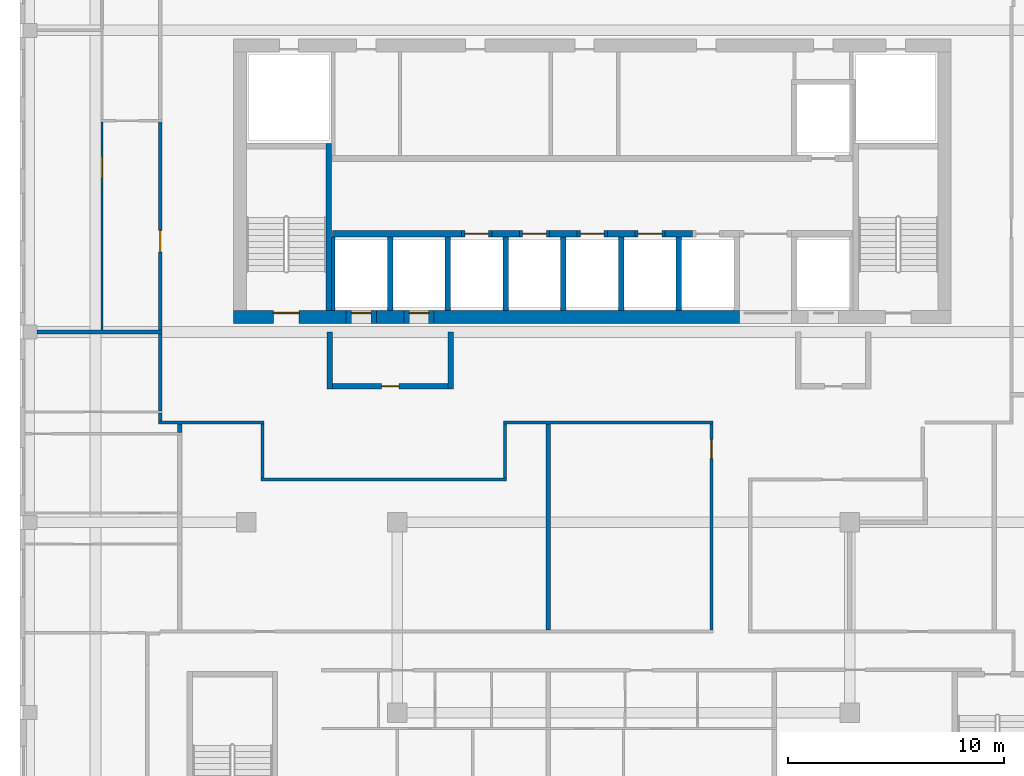
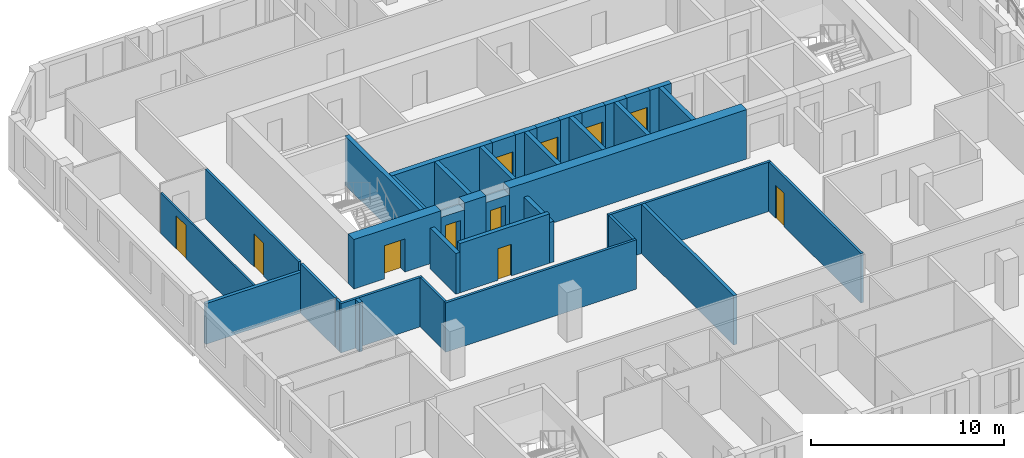
# One storey, part 4 of 18: 38 walls, 11 doors, 11 openings.
"""IFC4 building model written with IfcOpenShell, lengths in metres."""

import ifcopenshell
import ifcopenshell.guid

model = None  # the IFC model being written
_history = None  # IfcOwnerHistory: only IFC2X3 demands one
_inside = {}  # id of a spatial element -> (the spatial element, [elements in it])
_under = {}  # id of a project, library or spatial element -> (it, [spatial elements below it])
_declared = {}  # id of a project -> (the project, [libraries it declares])
_typed = {}  # id of a type object -> (the type object, [elements of that type])
_made_of = {}  # id of a material, layer set ... -> (it, [elements and type objects made of it])


def new_model(schema):
    """Start an empty IFC model of exactly this schema.

    Asked for "IFC4X3", IfcOpenShell would pick the latest addendum, in which some entities
    have other attributes; the version numbers below select the first issue.
    IFC2X3 requires an IfcOwnerHistory on every rooted entity: one is made here for all.
    """
    global model, _history
    if schema == "IFC4X3":
        model = ifcopenshell.file(schema_version=(4, 3, 0, 0))
    else:
        model = ifcopenshell.file(schema=schema)
    _inside.clear()
    _under.clear()
    _declared.clear()
    _typed.clear()
    _made_of.clear()
    _history = None
    if model.schema == "IFC2X3":
        org = make("IfcOrganization", Name="unknown")
        user = make(
            "IfcPersonAndOrganization",
            ThePerson=make("IfcPerson", FamilyName="unknown"),
            TheOrganization=org,
        )
        app = make(
            "IfcApplication",
            ApplicationDeveloper=org,
            Version="unknown",
            ApplicationFullName="unknown",
            ApplicationIdentifier="unknown",
        )
        _history = make(
            "IfcOwnerHistory",
            OwningUser=user,
            OwningApplication=app,
            ChangeAction="ADDED",
            CreationDate=0,
        )
    return model


def make(cls, **values):
    """One entity of the class cls with the attributes given. An attribute that is None is left unset."""
    return model.create_entity(
        cls, **{name: value for name, value in values.items() if value is not None}
    )


def rooted(cls, **values):
    """An entity with a GlobalId (a new one), such as an element, a storey or a relation."""
    return make(cls, GlobalId=ifcopenshell.guid.new(), OwnerHistory=_history, **values)


def si_unit(unit_type, name, prefix=None):
    """IfcSIUnit, for example si_unit("LENGTHUNIT", "METRE", prefix="MILLI")."""
    return make("IfcSIUnit", UnitType=unit_type, Prefix=prefix, Name=name)


def assignment(units):
    """IfcUnitAssignment: the units of a project."""
    return None if units is None else make("IfcUnitAssignment", Units=units)


def point(xyz):
    """IfcCartesianPoint."""
    return None if xyz is None else make("IfcCartesianPoint", Coordinates=xyz)


def direction(xyz):
    """IfcDirection."""
    return None if xyz is None else make("IfcDirection", DirectionRatios=xyz)


def frame(location, z_axis=None, x_axis=None):
    """IfcAxis2Placement3D, a coordinate frame: its origin and axes. An axis left out is left unset."""
    return make(
        "IfcAxis2Placement3D",
        Location=point(location),
        Axis=direction(z_axis),
        RefDirection=direction(x_axis),
    )


def frame_2d(location, x_axis=None):
    """IfcAxis2Placement2D, a coordinate frame in the plane: its origin and x axis."""
    return make(
        "IfcAxis2Placement2D", Location=point(location), RefDirection=direction(x_axis)
    )


def origin():
    """The frame at (0, 0, 0) with its axes left unset."""
    return frame((0.0, 0.0, 0.0))


def place(relative_to, where):
    """IfcLocalPlacement: puts the frame where relative to a parent placement (None: the world)."""
    return make(
        "IfcLocalPlacement", PlacementRelTo=relative_to, RelativePlacement=where
    )


def context(
    kind, dimensions, precision=None, world=None, true_north=None, identifier=None
):
    """IfcGeometricRepresentationContext, for example the 3D "Model" context."""
    return make(
        "IfcGeometricRepresentationContext",
        ContextIdentifier=identifier,
        ContextType=kind,
        CoordinateSpaceDimension=dimensions,
        Precision=precision,
        WorldCoordinateSystem=world,
        TrueNorth=true_north,
    )


def subcontext(parent, identifier, kind, view, scale=None):
    """IfcGeometricRepresentationSubContext, for example "Body" below "Model"."""
    return make(
        "IfcGeometricRepresentationSubContext",
        ContextIdentifier=identifier,
        ContextType=kind,
        ParentContext=parent,
        TargetScale=scale,
        TargetView=view,
    )


def project(units=None, contexts=None):
    """IfcProject with its units and contexts."""
    return rooted(
        "IfcProject",
        Name="project",
        RepresentationContexts=contexts,
        UnitsInContext=assignment(units),
    )


def spatial(cls, under=None, at=None, **own):
    """A site, building, storey or space (cls), placed at a placement, below another one or the project."""
    s = rooted(cls, ObjectPlacement=at, **own)
    if under is not None:
        _under.setdefault(under.id(), (under, []))[1].append(s)
    return s


def profile(cls, at=None, kind="AREA", **sizes):
    """A parametric profile (cls). Its sizes go by their IFC names, for example OverallWidth=200.0."""
    return make(cls, ProfileType=kind, Position=at, **sizes)


def rectangle(**sizes):
    """IfcRectangleProfileDef."""
    return profile("IfcRectangleProfileDef", **sizes)


def extrude(swept, where, along, depth):
    """IfcExtrudedAreaSolid: the profile swept, set in the frame where, extruded along a direction by depth."""
    return make(
        "IfcExtrudedAreaSolid",
        SweptArea=swept,
        Position=where,
        ExtrudedDirection=direction(along),
        Depth=depth,
    )


def shape(context_of_items, identifier, shape_type, items):
    """IfcShapeRepresentation: the items that make up one representation, for example the "Body"."""
    return make(
        "IfcShapeRepresentation",
        ContextOfItems=context_of_items,
        RepresentationIdentifier=identifier,
        RepresentationType=shape_type,
        Items=items,
    )


def source(mapping_origin, context_of_items, identifier, shape_type, items):
    """IfcRepresentationMap: a shape defined once, which mapped items show again and again."""
    return make(
        "IfcRepresentationMap",
        MappingOrigin=mapping_origin,
        MappedRepresentation=shape(context_of_items, identifier, shape_type, items),
    )


def transform(
    local_origin,
    x_axis=None,
    y_axis=None,
    z_axis=None,
    scale=None,
    scale2=None,
    scale3=None,
    uniform=True,
):
    """IfcCartesianTransformationOperator3D, or its non-uniform kind. x_axis, y_axis, z_axis: its Axis1, 2, 3."""
    if uniform:
        return make(
            "IfcCartesianTransformationOperator3D",
            Axis1=direction(x_axis),
            Axis2=direction(y_axis),
            LocalOrigin=point(local_origin),
            Scale=scale,
            Axis3=direction(z_axis),
        )
    return make(
        "IfcCartesianTransformationOperator3DnonUniform",
        Axis1=direction(x_axis),
        Axis2=direction(y_axis),
        LocalOrigin=point(local_origin),
        Scale=scale,
        Axis3=direction(z_axis),
        Scale2=scale2,
        Scale3=scale3,
    )


def mapped(mapping_source, mapping_target):
    """IfcMappedItem: shows the shape of a source again, moved by a transform."""
    return make(
        "IfcMappedItem", MappingSource=mapping_source, MappingTarget=mapping_target
    )


def material(Name=None, Category=None):
    """IfcMaterial."""
    return make("IfcMaterial", Name=Name, Category=Category)


def layer(
    of_material, thickness, ventilated=None, Name=None, Category=None, Priority=None
):
    """IfcMaterialLayer: one layer of a wall or slab, of a material (None: an air gap)."""
    return make(
        "IfcMaterialLayer",
        Material=of_material,
        LayerThickness=thickness,
        IsVentilated=ventilated,
        Name=Name,
        Category=Category,
        Priority=Priority,
    )


def layer_set(layers, Name=None):
    """IfcMaterialLayerSet."""
    return make("IfcMaterialLayerSet", MaterialLayers=layers, LayerSetName=Name)


def made_of(thing, what):
    """Note that an element or type object is made of a material, layer set ...; save() writes the relation."""
    if what is not None:
        _made_of.setdefault(what.id(), (what, []))[1].append(thing)
    return thing


def type_object(cls, material=None, **own):
    """A type object (cls), such as IfcWallType, which elements share."""
    return made_of(rooted(cls, **own), material)


def element(
    cls,
    number,
    at=None,
    inside=None,
    cuts=None,
    type_object=None,
    material=None,
    context=None,
    identifier="Body",
    shape_type=None,
    held_by="IfcProductDefinitionShape",
    body=None,
    shapes=None,
    **own,
):
    """One element of the class cls, such as IfcWall. Its Tag is "e" and its number.

    at: its placement. inside: the storey or other place that contains it. cuts: it is an
    opening in that element (IfcRelVoidsElement). A single representation is given by context,
    identifier, shape_type and body (its items); several are given by shapes. held_by: the class
    of the entity that holds the representations. save() writes the other relations.
    """
    e = rooted(cls, Tag="e%d" % number, ObjectPlacement=at, **own)
    if body is not None:
        shapes = [shape(context, identifier, shape_type, body)]
    if shapes is not None:
        e.Representation = make(held_by, Representations=shapes)
    if inside is not None:
        _inside.setdefault(inside.id(), (inside, []))[1].append(e)
    if cuts is not None:
        rooted(
            "IfcRelVoidsElement", RelatingBuildingElement=cuts, RelatedOpeningElement=e
        )
    if type_object is not None:
        _typed.setdefault(type_object.id(), (type_object, []))[1].append(e)
    return made_of(e, material)


def fill(opening, filler):
    """IfcRelFillsElement: the door or window that sits in an opening."""
    return rooted(
        "IfcRelFillsElement",
        RelatingOpeningElement=opening,
        RelatedBuildingElement=filler,
    )


def aggregate(whole, parts):
    """IfcRelAggregates: a whole, such as a stair, and the parts it consists of."""
    return rooted("IfcRelAggregates", RelatingObject=whole, RelatedObjects=parts)


def save(model, path):
    """Write the relations noted so far, then the file.

    IfcRelAggregates (storeys below a building ...), IfcRelContainedInSpatialStructure (elements
    in a storey), IfcRelDefinesByType, IfcRelAssociatesMaterial and IfcRelDeclares: one each for
    every whole, place, type object, material and project.
    """
    for whole, parts in _under.values():
        aggregate(whole, parts)
    for where, things in _inside.values():
        rooted(
            "IfcRelContainedInSpatialStructure",
            RelatedElements=things,
            RelatingStructure=where,
        )
    for kind, things in _typed.values():
        rooted("IfcRelDefinesByType", RelatedObjects=things, RelatingType=kind)
    for what, things in _made_of.values():
        rooted("IfcRelAssociatesMaterial", RelatedObjects=things, RelatingMaterial=what)
    for by, libraries in _declared.values():
        rooted("IfcRelDeclares", RelatingContext=by, RelatedDefinitions=libraries)
    model.write(path)


model = new_model("IFC4")

# Units and contexts
model_context = context("Model", 3, precision=1e-05, world=origin(), true_north=direction((0.0, 1.0)))
body_context = subcontext(model_context, "Body", "Model", "MODEL_VIEW")
ifc_project = project(units=[si_unit("LENGTHUNIT", "METRE"), si_unit("AREAUNIT", "SQUARE_METRE"), si_unit("VOLUMEUNIT", "CUBIC_METRE"), si_unit("PLANEANGLEUNIT", "RADIAN"), si_unit("MASSUNIT", "GRAM", prefix="KILO")], contexts=[model_context])

# Site, building, storey
site_placement = place(None, origin())
site = spatial("IfcSite", under=ifc_project, at=site_placement, CompositionType="ELEMENT")
building_placement = place(site_placement, origin())
building = spatial("IfcBuilding", under=site, at=building_placement, Name="Kilnfold Tower and Market Hall", CompositionType="ELEMENT")
storey_placement = place(building_placement, frame((0.0, 0.0, 277.199951171875)))
storey = spatial("IfcBuildingStorey", under=building, at=storey_placement, Name="L68", CompositionType="ELEMENT", Elevation=277.199951171875)

# Walls
ifc_material_1 = material(Name="Gypsum board on steel studs", Category="steel")
ifc_layer_1 = layer(ifc_material_1, 0.14990234375)
ifc_layer_set_1 = layer_set([ifc_layer_1], Name="Gypsum board on steel studs")
wall_type_1 = type_object("IfcWallType", Name="WALL CORRIDOR 150", PredefinedType="PARTITIONING", material=ifc_layer_set_1)
wall_1_placement = place(storey_placement, frame((-19.074951171875, 3.800048828125, 0.0), z_axis=(0.0, 0.0, 1.0), x_axis=(1.0, 0.0, 0.0)))
element("IfcWall", 1, at=wall_1_placement, inside=storey, type_object=wall_type_1, Name="Partition LY42.11", PredefinedType="PARTITIONING", context=body_context, shape_type="SweptSolid", body=[
    extrude(rectangle(XDim=4.889892578125, YDim=0.14990234375, at=frame_2d((2.44482421875, 0.0))), origin(), (0.0, 0.0, 1.0), 3.1201171875),
])
wall_2_placement = place(storey_placement, frame((-19.0, 3.875, 0.0), z_axis=(0.0, 0.0, 1.0), x_axis=(0.0, 1.0, 0.0)))
element("IfcWall", 2, at=wall_2_placement, inside=storey, type_object=wall_type_1, Name="Partition LY42.12", PredefinedType="PARTITIONING", context=body_context, shape_type="SweptSolid", body=[
    extrude(rectangle(XDim=0.376953125, YDim=0.14990234375, at=frame_2d((0.1884765625, 0.0))), origin(), (0.0, 0.0, 1.0), 3.1201171875),
])
wall_3_placement = place(storey_placement, frame((-19.0, 4.33203125, 0.0), z_axis=(0.0, 0.0, 1.0), x_axis=(0.0, 1.0, 0.0)))
element("IfcWall", 3, at=wall_3_placement, inside=storey, type_object=wall_type_1, Name="Partition LY42.13", PredefinedType="PARTITIONING", context=body_context, shape_type="SweptSolid", body=[
    extrude(rectangle(XDim=3.577880859375, YDim=0.14990234375, at=frame_2d((1.7890625, 0.0))), origin(), (0.0, 0.0, 1.0), 3.1201171875),
])

# Wall, opening, door
wall_4_placement = place(storey_placement, frame((-19.0, 8.090087890625, 0.0), z_axis=(0.0, 0.0, 1.0), x_axis=(0.0, 1.0, 0.0)))
wall_4 = element("IfcWall", 4, at=wall_4_placement, inside=storey, type_object=wall_type_1, Name="Partition LY42.20", PredefinedType="PARTITIONING", context=body_context, shape_type="SweptSolid", body=[
    extrude(rectangle(XDim=9.669921875, YDim=0.14990234375, at=frame_2d((4.8349609375, 0.0))), origin(), (0.0, 0.0, 1.0), 3.1201171875),
])
opening_1_placement = place(wall_4_placement, frame((3.62890625, 0.0, 0.0)))
opening_1 = element("IfcOpeningElement", 5, at=opening_1_placement, cuts=wall_4, Name="Opening D1", PredefinedType="OPENING", context=body_context, shape_type="SweptSolid", body=[
    extrude(rectangle(XDim=1.0, YDim=2.10009765625, at=frame_2d((0.5, 1.050048828125))), frame((0.0, 0.0849609375, 0.0), z_axis=(0.0, -1.0, 0.0), x_axis=(1.0, 0.0, 0.0)), (0.0, 0.0, 1.0), 0.169921875),
])
ifc_material_2 = material(Name="Timber veneer door leaf in steel frame", Category="steel")
door_type_1 = type_object("IfcDoorType", Name="DOOR ENTRY 1000 X2100", OperationType="NOTDEFINED", PredefinedType="DOOR", material=ifc_material_2)
door_1_placement = place(opening_1_placement, origin())
door_1 = element("IfcDoor", 6, at=door_1_placement, inside=storey, type_object=door_type_1, Name="Door D1", OperationType="SINGLE_SWING_LEFT", OverallHeight=2.10009765625, OverallWidth=1.0, PredefinedType="DOOR", context=body_context, shape_type="SweptSolid", body=[
    extrude(rectangle(XDim=1.0, YDim=2.10009765625, at=frame_2d((0.5, 1.050048828125))), frame((0.0, 0.02490234375, 0.0), z_axis=(0.0, -1.0, 0.0), x_axis=(1.0, 0.0, 0.0)), (0.0, 0.0, 1.0), 0.050048828125),
])
fill(opening_1, door_1)

# Walls
wall_5_placement = place(storey_placement, frame((-3.074951171875, 3.800048828125, 0.0), z_axis=(0.0, 0.0, 1.0), x_axis=(1.0, 0.0, 0.0)))
element("IfcWall", 7, at=wall_5_placement, inside=storey, type_object=wall_type_1, Name="Partition LY42.23", PredefinedType="PARTITIONING", context=body_context, shape_type="SweptSolid", body=[
    extrude(rectangle(XDim=9.72998046875, YDim=0.14990234375, at=frame_2d((4.864990234375, 0.0))), origin(), (0.0, 0.0, 1.0), 3.1201171875),
])
wall_6_placement = place(storey_placement, frame((-3.0, 1.22509765625, 0.0), z_axis=(0.0, 0.0, 1.0), x_axis=(0.0, 1.0, 0.0)))
element("IfcWall", 8, at=wall_6_placement, inside=storey, type_object=wall_type_1, Name="Partition LY42.24", PredefinedType="PARTITIONING", context=body_context, shape_type="SweptSolid", body=[
    extrude(rectangle(XDim=2.5, YDim=0.14990234375, at=frame_2d((1.25, 0.0))), origin(), (0.0, 0.0, 1.0), 3.1201171875),
])
wall_7_placement = place(storey_placement, frame((-14.3349609375, 1.14990234375, 0.0), z_axis=(0.0, 0.0, 1.0), x_axis=(1.0, 0.0, 0.0)))
element("IfcWall", 9, at=wall_7_placement, inside=storey, type_object=wall_type_1, Name="Partition LY42.25", PredefinedType="PARTITIONING", context=body_context, shape_type="SweptSolid", body=[
    extrude(rectangle(XDim=11.409912109375, YDim=0.14990234375, at=frame_2d((5.705078125, 0.0))), origin(), (0.0, 0.0, 1.0), 3.1201171875),
])
wall_8_placement = place(storey_placement, frame((-14.260009765625, 3.72509765625, 0.0), z_axis=(0.0, 0.0, 1.0), x_axis=(0.0, -1.0, 0.0)))
element("IfcWall", 10, at=wall_8_placement, inside=storey, type_object=wall_type_1, Name="Partition LY42.26", PredefinedType="PARTITIONING", context=body_context, shape_type="SweptSolid", body=[
    extrude(rectangle(XDim=2.5, YDim=0.14990234375, at=frame_2d((1.25, 0.0))), origin(), (0.0, 0.0, 1.0), 3.1201171875),
])

# Wall, opening, door
wall_9_placement = place(storey_placement, frame((6.580078125, 3.72509765625, 0.0), z_axis=(0.0, 0.0, 1.0), x_axis=(0.0, -1.0, 0.0)))
wall_9 = element("IfcWall", 11, at=wall_9_placement, inside=storey, type_object=wall_type_1, Name="Partition LY42.27", PredefinedType="PARTITIONING", context=body_context, shape_type="SweptSolid", body=[
    extrude(rectangle(XDim=9.550048828125, YDim=0.14990234375, at=frame_2d((4.77490234375, 0.0))), origin(), (0.0, 0.0, 1.0), 3.1201171875),
])
opening_2_placement = place(wall_9_placement, frame((0.702880859375, 0.0, 0.0)))
opening_2 = element("IfcOpeningElement", 12, at=opening_2_placement, cuts=wall_9, Name="Opening D2", PredefinedType="OPENING", context=body_context, shape_type="SweptSolid", body=[
    extrude(rectangle(XDim=0.89990234375, YDim=2.10009765625, at=frame_2d((0.449951171875, 1.050048828125))), frame((0.0, 0.0849609375, 0.0), z_axis=(0.0, -1.0, 0.0), x_axis=(1.0, 0.0, 0.0)), (0.0, 0.0, 1.0), 0.169921875),
])
ifc_material_3 = material(Name="Timber veneer door leaf in steel frame", Category="steel")
door_type_2 = type_object("IfcDoorType", Name="DOOR ROOM 900 X2100", OperationType="NOTDEFINED", PredefinedType="DOOR", material=ifc_material_3)
door_2_placement = place(opening_2_placement, origin())
door_2 = element("IfcDoor", 13, at=door_2_placement, inside=storey, type_object=door_type_2, Name="Door D2", OperationType="SINGLE_SWING_RIGHT", OverallHeight=2.10009765625, OverallWidth=0.89990234375, PredefinedType="DOOR", context=body_context, shape_type="SweptSolid", body=[
    extrude(rectangle(XDim=0.89990234375, YDim=2.10009765625, at=frame_2d((0.449951171875, 1.050048828125))), frame((0.0, 0.02490234375, 0.0), z_axis=(0.0, -1.0, 0.0), x_axis=(1.0, 0.0, 0.0)), (0.0, 0.0, 1.0), 0.050048828125),
])
fill(opening_2, door_2)

ifc_material_4 = material(Name="Gypsum board on steel studs", Category="steel")
ifc_layer_2 = layer(ifc_material_4, 0.10009765625)
ifc_layer_set_2 = layer_set([ifc_layer_2], Name="Gypsum board on steel studs")
wall_type_2 = type_object("IfcWallType", Name="WALL PARTITION 100", PredefinedType="PARTITIONING", material=ifc_layer_set_2)
wall_10_placement = place(storey_placement, frame((-21.699951171875, 8.10009765625, 0.0), z_axis=(0.0, 0.0, 1.0), x_axis=(0.0, 1.0, 0.0)))
wall_10 = element("IfcWall", 14, at=wall_10_placement, inside=storey, type_object=wall_type_2, Name="Partition LY42.72", PredefinedType="PARTITIONING", context=body_context, shape_type="SweptSolid", body=[
    extrude(rectangle(XDim=9.64990234375, YDim=0.10009765625, at=frame_2d((4.824951171875, 0.0))), origin(), (0.0, 0.0, 1.0), 2.570068359375),
])
opening_3_placement = place(wall_10_placement, frame((7.041015625, 0.0, 0.0)))
opening_3 = element("IfcOpeningElement", 15, at=opening_3_placement, cuts=wall_10, Name="Opening D1", PredefinedType="OPENING", context=body_context, shape_type="SweptSolid", body=[
    extrude(rectangle(XDim=1.0, YDim=2.10009765625, at=frame_2d((0.5, 1.050048828125))), frame((0.0, 0.06005859375, 0.0), z_axis=(0.0, -1.0, 0.0), x_axis=(1.0, 0.0, 0.0)), (0.0, 0.0, 1.0), 0.1201171875),
])
door_3_placement = place(opening_3_placement, origin())
door_3 = element("IfcDoor", 16, at=door_3_placement, inside=storey, type_object=door_type_1, Name="Door D1", OperationType="SINGLE_SWING_LEFT", OverallHeight=2.10009765625, OverallWidth=1.0, PredefinedType="DOOR", context=body_context, shape_type="SweptSolid", body=[
    extrude(rectangle(XDim=1.0, YDim=2.10009765625, at=frame_2d((0.5, 1.050048828125))), frame((0.0, 0.02490234375, 0.0), z_axis=(0.0, -1.0, 0.0), x_axis=(1.0, 0.0, 0.0)), (0.0, 0.0, 1.0), 0.050048828125),
])
fill(opening_3, door_3)

# Walls
ifc_material_5 = material(Name="Gypsum board on steel studs", Category="steel")
ifc_layer_3 = layer(ifc_material_5, 0.199951171875)
ifc_layer_set_3 = layer_set([ifc_layer_3], Name="Gypsum board on steel studs")
wall_type_3 = type_object("IfcWallType", Name="WALL PARTY 200", PredefinedType="PARTITIONING", material=ifc_layer_set_3)
wall_11_placement = place(storey_placement, frame((-18.10009765625, 3.324951171875, 0.0), z_axis=(0.0, 0.0, 1.0), x_axis=(0.0, 1.0, 0.0)))
element("IfcWall", 17, at=wall_11_placement, inside=storey, type_object=wall_type_3, Name="Partition LY42.44", PredefinedType="PARTITIONING", context=body_context, shape_type="SweptSolid", body=[
    extrude(rectangle(XDim=0.39794921875, YDim=0.199951171875, at=frame_2d((0.198974609375, 0.0))), origin(), (0.0, 0.0, 1.0), 3.1201171875),
])
wall_12_placement = place(storey_placement, frame((-24.72509765625, 8.0, 0.0), z_axis=(0.0, 0.0, 1.0), x_axis=(1.0, 0.0, 0.0)))
element("IfcWall", 18, at=wall_12_placement, inside=storey, type_object=wall_type_3, Name="Partition LY42.45", PredefinedType="PARTITIONING", context=body_context, shape_type="SweptSolid", body=[
    extrude(rectangle(XDim=5.798095703125, YDim=0.199951171875, at=frame_2d((2.89892578125, 0.0))), origin(), (0.0, 0.0, 1.0), 2.570068359375),
])
wall_13_placement = place(storey_placement, frame((-1.0, -5.822998046875, 0.0), z_axis=(0.0, 0.0, 1.0), x_axis=(0.0, 1.0, 0.0)))
element("IfcWall", 19, at=wall_13_placement, inside=storey, type_object=wall_type_3, Name="Partition LY42.79", PredefinedType="PARTITIONING", context=body_context, shape_type="SweptSolid", body=[
    extrude(rectangle(XDim=9.5458984375, YDim=0.199951171875, at=frame_2d((4.77294921875, 0.0))), origin(), (0.0, 0.0, 1.0), 3.1201171875),
])
ifc_material_6 = material(Name="Concrete C50", Category="concrete")
ifc_layer_4 = layer(ifc_material_6, 0.25)
ifc_layer_set_4 = layer_set([ifc_layer_4], Name="Concrete C50")
wall_type_4 = type_object("IfcWallType", Name="CORE WALL 250 C50", PredefinedType="SHEAR", material=ifc_layer_set_4)
shared_shape_1 = source(origin(), body_context, "Body", "SweptSolid", [
    extrude(rectangle(XDim=7.75, YDim=0.25, at=frame_2d((3.875, 0.0))), origin(), (0.0, 0.0, 1.0), 3.1201171875),
])
wall_14_placement = place(storey_placement, frame((-11.175048828125, 9.0, 0.0), z_axis=(0.0, 0.0, 1.0), x_axis=(0.0, 1.0, 0.0)))
element("IfcWall", 20, at=wall_14_placement, inside=storey, type_object=wall_type_4, Name="Stair enclosure ST1", PredefinedType="SHEAR", context=body_context, shape_type="MappedRepresentation", body=[
    mapped(shared_shape_1, transform((0.0, 0.0, 0.0))),
])
ifc_material_7 = material(Name="Concrete C50", Category="concrete")
ifc_layer_5 = layer(ifc_material_7, 0.300048828125)
ifc_layer_set_5 = layer_set([ifc_layer_5], Name="Concrete C50")
wall_type_5 = type_object("IfcWallType", Name="CORE WALL 300 C50", PredefinedType="SHEAR", material=ifc_layer_set_5)
shared_shape_2 = source(origin(), body_context, "Body", "SweptSolid", [
    extrude(rectangle(XDim=6.0, YDim=0.300048828125, at=frame_2d((3.0, 0.0))), origin(), (0.0, 0.0, 1.0), 3.1201171875),
])
wall_15_placement = place(storey_placement, frame((-11.010009765625, 12.550048828125, 0.0), z_axis=(0.0, 0.0, 1.0), x_axis=(1.0, 0.0, 0.0)))
element("IfcWall", 21, at=wall_15_placement, inside=storey, type_object=wall_type_5, Name="Core spine wall", PredefinedType="SHEAR", context=body_context, shape_type="MappedRepresentation", body=[
    mapped(shared_shape_2, transform((0.0, 0.0, 0.0))),
])
shared_shape_3 = source(origin(), body_context, "Body", "SweptSolid", [
    extrude(rectangle(XDim=1.280029296875, YDim=0.300048828125, at=frame_2d((0.64013671875, 0.0))), origin(), (0.0, 0.0, 1.0), 3.1201171875),
])
for number, where, z_axis, x_axis, name in (
    (22, (-3.610107421875, 12.550048828125, 0.0), (0.0, 0.0, 1.0), (1.0, 0.0, 0.0), "Core spine wall"),
    (23, (-0.929931640625, 12.550048828125, 0.0), (0.0, 0.0, 1.0), (1.0, 0.0, 0.0), "Core spine wall"),
    (24, (1.75, 12.550048828125, 0.0), (0.0, 0.0, 1.0), (1.0, 0.0, 0.0), "Core spine wall"),
    (25, (4.429931640625, 12.550048828125, 0.0), (0.0, 0.0, 1.0), (1.0, 0.0, 0.0), "Core spine wall"),
):
    element("IfcWall", number, at=place(storey_placement, frame(where, z_axis=z_axis, x_axis=x_axis)), inside=storey, type_object=wall_type_5, Name=name, PredefinedType="SHEAR", context=body_context, shape_type="MappedRepresentation", body=[
        mapped(shared_shape_3, transform((0.0, 0.0, 0.0))),
    ])

# Wall, opening, door
ifc_material_8 = material(Name="Concrete C50", Category="concrete")
ifc_layer_6 = layer(ifc_material_8, 0.60009765625)
ifc_layer_set_6 = layer_set([ifc_layer_6], Name="Concrete C50")
wall_type_6 = type_object("IfcWallType", Name="CORE WALL 600 C50", PredefinedType="SHEAR", material=ifc_layer_set_6)
shared_shape_4 = source(origin(), body_context, "Body", "SweptSolid", [
    extrude(rectangle(XDim=5.22998046875, YDim=0.60009765625, at=frame_2d((2.614990234375, 0.0))), origin(), (0.0, 0.0, 1.0), 3.1201171875),
])
wall_16_placement = place(storey_placement, frame((-15.60009765625, 8.699951171875, 0.0), z_axis=(0.0, 0.0, 1.0), x_axis=(1.0, 0.0, 0.0)))
wall_16 = element("IfcWall", 26, at=wall_16_placement, inside=storey, type_object=wall_type_6, Name="Core outer wall south", PredefinedType="SHEAR", context=body_context, shape_type="MappedRepresentation", body=[
    mapped(shared_shape_4, transform((0.0, 0.0, 0.0))),
])
opening_4_placement = place(wall_16_placement, frame((1.85009765625, 0.0, 0.0)))
opening_4 = element("IfcOpeningElement", 27, at=opening_4_placement, cuts=wall_16, Name="Opening SD1", PredefinedType="OPENING", context=body_context, shape_type="SweptSolid", body=[
    extrude(rectangle(XDim=1.199951171875, YDim=2.10009765625, at=frame_2d((0.60009765625, 1.050048828125))), frame((0.0, 0.31005859375, 0.0), z_axis=(0.0, -1.0, 0.0), x_axis=(1.0, 0.0, 0.0)), (0.0, 0.0, 1.0), 0.6201171875),
])
ifc_material_9 = material(Name="Steel door set with fire-resisting leaf", Category="steel")
door_type_3 = type_object("IfcDoorType", Name="STAIR FLOOR DOOR 1200X2100", OperationType="NOTDEFINED", PredefinedType="DOOR", material=ifc_material_9)
door_4_placement = place(opening_4_placement, origin())
door_4 = element("IfcDoor", 28, at=door_4_placement, inside=storey, type_object=door_type_3, Name="Exit stair ST1 door", OperationType="DOUBLE_DOOR_SINGLE_SWING", OverallHeight=2.10009765625, OverallWidth=1.199951171875, PredefinedType="DOOR", context=body_context, shape_type="SweptSolid", body=[
    extrude(rectangle(XDim=1.199951171875, YDim=2.10009765625, at=frame_2d((0.60009765625, 1.050048828125))), frame((0.0, 0.205078125, 0.0), z_axis=(0.0, -1.0, 0.0), x_axis=(1.0, 0.0, 0.0)), (0.0, 0.0, 1.0), 0.050048828125),
])
fill(opening_4, door_4)

# Walls
shared_shape_5 = source(origin(), body_context, "Body", "SweptSolid", [
    extrude(rectangle(XDim=1.280029296875, YDim=0.60009765625, at=frame_2d((0.64013671875, 0.0))), origin(), (0.0, 0.0, 1.0), 3.1201171875),
])
wall_17_placement = place(storey_placement, frame((-8.969970703125, 8.699951171875, 0.0), z_axis=(0.0, 0.0, 1.0), x_axis=(1.0, 0.0, 0.0)))
element("IfcWall", 29, at=wall_17_placement, inside=storey, type_object=wall_type_6, Name="Core outer wall south", PredefinedType="SHEAR", context=body_context, shape_type="MappedRepresentation", body=[
    mapped(shared_shape_5, transform((0.0, 0.0, 0.0))),
])
shared_shape_6 = source(origin(), body_context, "Body", "SweptSolid", [
    extrude(rectangle(XDim=14.179931640625, YDim=0.60009765625, at=frame_2d((7.08984375, 0.0))), origin(), (0.0, 0.0, 1.0), 3.1201171875),
])
wall_18_placement = place(storey_placement, frame((-6.2900390625, 8.699951171875, 0.0), z_axis=(0.0, 0.0, 1.0), x_axis=(1.0, 0.0, 0.0)))
element("IfcWall", 30, at=wall_18_placement, inside=storey, type_object=wall_type_6, Name="Core outer wall south", PredefinedType="SHEAR", context=body_context, shape_type="MappedRepresentation", body=[
    mapped(shared_shape_6, transform((0.0, 0.0, 0.0))),
])

# Wall, opening, door
ifc_material_10 = material(Name="Gypsum shaft wall system")
ifc_layer_7 = layer(ifc_material_10, 0.300048828125)
ifc_layer_set_7 = layer_set([ifc_layer_7], Name="Gypsum shaft wall system")
wall_type_7 = type_object("IfcWallType", Name="SHAFT WALL 300", PredefinedType="PARTITIONING", material=ifc_layer_set_7)
shared_shape_7 = source(origin(), body_context, "Body", "SweptSolid", [
    extrude(rectangle(XDim=1.39990234375, YDim=0.300048828125, at=frame_2d((0.699951171875, 0.0))), origin(), (0.0, 0.0, 1.0), 3.1201171875),
])
wall_19_placement = place(storey_placement, frame((-5.010009765625, 12.550048828125, 0.0), z_axis=(0.0, 0.0, 1.0), x_axis=(1.0, 0.0, 0.0)))
wall_19 = element("IfcWall", 31, at=wall_19_placement, inside=storey, type_object=wall_type_7, Name="Lift shaft front wall", PredefinedType="PARTITIONING", context=body_context, shape_type="MappedRepresentation", body=[
    mapped(shared_shape_7, transform((0.0, 0.0, 0.0))),
])
opening_5_placement = place(wall_19_placement, frame((0.14990234375, 0.0, 0.0)))
opening_5 = element("IfcOpeningElement", 32, at=opening_5_placement, cuts=wall_19, Name="Opening LD2", PredefinedType="OPENING", context=body_context, shape_type="SweptSolid", body=[
    extrude(rectangle(XDim=1.10009765625, YDim=2.10009765625, at=frame_2d((0.550048828125, 1.050048828125))), frame((0.0, 0.16015625, 0.0), z_axis=(0.0, -1.0, 0.0), x_axis=(1.0, 0.0, 0.0)), (0.0, 0.0, 1.0), 0.320068359375),
])
ifc_material_11 = material(Name="Steel door set with fire-resisting leaf", Category="steel")
door_type_4 = type_object("IfcDoorType", Name="LANDING DOOR 1100X2100", OperationType="NOTDEFINED", PredefinedType="DOOR", material=ifc_material_11)
door_5_placement = place(opening_5_placement, origin())
door_5 = element("IfcDoor", 33, at=door_5_placement, inside=storey, type_object=door_type_4, Name="Landing door HR1", OperationType="DOUBLE_DOOR_SLIDING", OverallHeight=2.10009765625, OverallWidth=1.10009765625, PredefinedType="DOOR", context=body_context, shape_type="SweptSolid", body=[
    extrude(rectangle(XDim=1.10009765625, YDim=2.10009765625, at=frame_2d((0.550048828125, 1.050048828125))), frame((0.0, 0.02490234375, 0.0), z_axis=(0.0, -1.0, 0.0), x_axis=(1.0, 0.0, 0.0)), (0.0, 0.0, 1.0), 0.050048828125),
])
fill(opening_5, door_5)

wall_20_placement = place(storey_placement, frame((0.35009765625, 12.550048828125, 0.0), z_axis=(0.0, 0.0, 1.0), x_axis=(1.0, 0.0, 0.0)))
wall_20 = element("IfcWall", 34, at=wall_20_placement, inside=storey, type_object=wall_type_7, Name="Lift shaft front wall", PredefinedType="PARTITIONING", context=body_context, shape_type="MappedRepresentation", body=[
    mapped(shared_shape_7, transform((0.0, 0.0, 0.0))),
])
opening_6_placement = place(wall_20_placement, frame((0.14990234375, 0.0, 0.0)))
opening_6 = element("IfcOpeningElement", 35, at=opening_6_placement, cuts=wall_20, Name="Opening LD2", PredefinedType="OPENING", context=body_context, shape_type="SweptSolid", body=[
    extrude(rectangle(XDim=1.10009765625, YDim=2.10009765625, at=frame_2d((0.550048828125, 1.050048828125))), frame((0.0, 0.16015625, 0.0), z_axis=(0.0, -1.0, 0.0), x_axis=(1.0, 0.0, 0.0)), (0.0, 0.0, 1.0), 0.320068359375),
])
door_6_placement = place(opening_6_placement, origin())
door_6 = element("IfcDoor", 36, at=door_6_placement, inside=storey, type_object=door_type_4, Name="Landing door HR3", OperationType="DOUBLE_DOOR_SLIDING", OverallHeight=2.10009765625, OverallWidth=1.10009765625, PredefinedType="DOOR", context=body_context, shape_type="SweptSolid", body=[
    extrude(rectangle(XDim=1.10009765625, YDim=2.10009765625, at=frame_2d((0.550048828125, 1.050048828125))), frame((0.0, 0.02490234375, 0.0), z_axis=(0.0, -1.0, 0.0), x_axis=(1.0, 0.0, 0.0)), (0.0, 0.0, 1.0), 0.050048828125),
])
fill(opening_6, door_6)

wall_21_placement = place(storey_placement, frame((3.030029296875, 12.550048828125, 0.0), z_axis=(0.0, 0.0, 1.0), x_axis=(1.0, 0.0, 0.0)))
wall_21 = element("IfcWall", 37, at=wall_21_placement, inside=storey, type_object=wall_type_7, Name="Lift shaft front wall", PredefinedType="PARTITIONING", context=body_context, shape_type="MappedRepresentation", body=[
    mapped(shared_shape_7, transform((0.0, 0.0, 0.0))),
])
opening_7_placement = place(wall_21_placement, frame((0.14990234375, 0.0, 0.0)))
opening_7 = element("IfcOpeningElement", 38, at=opening_7_placement, cuts=wall_21, Name="Opening LD2", PredefinedType="OPENING", context=body_context, shape_type="SweptSolid", body=[
    extrude(rectangle(XDim=1.10009765625, YDim=2.10009765625, at=frame_2d((0.550048828125, 1.050048828125))), frame((0.0, 0.16015625, 0.0), z_axis=(0.0, -1.0, 0.0), x_axis=(1.0, 0.0, 0.0)), (0.0, 0.0, 1.0), 0.320068359375),
])
door_7_placement = place(opening_7_placement, origin())
door_7 = element("IfcDoor", 39, at=door_7_placement, inside=storey, type_object=door_type_4, Name="Landing door HR4", OperationType="DOUBLE_DOOR_SLIDING", OverallHeight=2.10009765625, OverallWidth=1.10009765625, PredefinedType="DOOR", context=body_context, shape_type="SweptSolid", body=[
    extrude(rectangle(XDim=1.10009765625, YDim=2.10009765625, at=frame_2d((0.550048828125, 1.050048828125))), frame((0.0, 0.02490234375, 0.0), z_axis=(0.0, -1.0, 0.0), x_axis=(1.0, 0.0, 0.0)), (0.0, 0.0, 1.0), 0.050048828125),
])
fill(opening_7, door_7)

shared_shape_8 = source(origin(), body_context, "Body", "SweptSolid", [
    extrude(rectangle(XDim=1.400146484375, YDim=0.300048828125, at=frame_2d((0.7001953125, 0.0))), origin(), (0.0, 0.0, 1.0), 3.1201171875),
])
wall_22_placement = place(storey_placement, frame((-2.330078125, 12.550048828125, 0.0), z_axis=(0.0, 0.0, 1.0), x_axis=(1.0, 0.0, 0.0)))
wall_22 = element("IfcWall", 40, at=wall_22_placement, inside=storey, type_object=wall_type_7, Name="Lift shaft front wall", PredefinedType="PARTITIONING", context=body_context, shape_type="MappedRepresentation", body=[
    mapped(shared_shape_8, transform((0.0, 0.0, 0.0))),
])
opening_8_placement = place(wall_22_placement, frame((0.14990234375, 0.0, 0.0)))
opening_8 = element("IfcOpeningElement", 41, at=opening_8_placement, cuts=wall_22, Name="Opening LD2", PredefinedType="OPENING", context=body_context, shape_type="SweptSolid", body=[
    extrude(rectangle(XDim=1.10009765625, YDim=2.10009765625, at=frame_2d((0.550048828125, 1.050048828125))), frame((0.0, 0.16015625, 0.0), z_axis=(0.0, -1.0, 0.0), x_axis=(1.0, 0.0, 0.0)), (0.0, 0.0, 1.0), 0.320068359375),
])
door_8_placement = place(opening_8_placement, origin())
door_8 = element("IfcDoor", 42, at=door_8_placement, inside=storey, type_object=door_type_4, Name="Landing door HR2", OperationType="DOUBLE_DOOR_SLIDING", OverallHeight=2.10009765625, OverallWidth=1.10009765625, PredefinedType="DOOR", context=body_context, shape_type="SweptSolid", body=[
    extrude(rectangle(XDim=1.10009765625, YDim=2.10009765625, at=frame_2d((0.550048828125, 1.050048828125))), frame((0.0, 0.02490234375, 0.0), z_axis=(0.0, -1.0, 0.0), x_axis=(1.0, 0.0, 0.0)), (0.0, 0.0, 1.0), 0.050048828125),
])
fill(opening_8, door_8)

ifc_material_12 = material(Name="Gypsum shaft wall system")
ifc_layer_8 = layer(ifc_material_12, 0.25)
ifc_layer_set_8 = layer_set([ifc_layer_8], Name="Gypsum shaft wall system")
wall_type_8 = type_object("IfcWallType", Name="LOBBY WALL 250", PredefinedType="PARTITIONING", material=ifc_layer_set_8)
shared_shape_9 = source(origin(), body_context, "Body", "SweptSolid", [
    extrude(rectangle(XDim=5.360107421875, YDim=0.25, at=frame_2d((2.68017578125, 0.0))), origin(), (0.0, 0.0, 1.0), 3.1201171875),
])
wall_23_placement = place(storey_placement, frame((-11.010009765625, 5.47509765625, 0.0), z_axis=(0.0, 0.0, 1.0), x_axis=(1.0, 0.0, 0.0)))
wall_23 = element("IfcWall", 43, at=wall_23_placement, inside=storey, type_object=wall_type_8, Name="Firefighting lobby wall", PredefinedType="PARTITIONING", context=body_context, shape_type="MappedRepresentation", body=[
    mapped(shared_shape_9, transform((0.0, 0.0, 0.0))),
])
opening_9_placement = place(wall_23_placement, frame((2.280029296875, 0.0, 0.0)))
opening_9 = element("IfcOpeningElement", 44, at=opening_9_placement, cuts=wall_23, Name="Opening VD1", PredefinedType="OPENING", context=body_context, shape_type="SweptSolid", body=[
    extrude(rectangle(XDim=0.800048828125, YDim=2.0, at=frame_2d((0.39990234375, 1.0))), frame((0.0, 0.135009765625, 0.0), z_axis=(0.0, -1.0, 0.0), x_axis=(1.0, 0.0, 0.0)), (0.0, 0.0, 1.0), 0.27001953125),
])
ifc_material_13 = material(Name="Steel door set with fire-resisting leaf", Category="steel")
door_type_5 = type_object("IfcDoorType", Name="FIREFIGHTING LOBBY DOOR 800X2000", OperationType="NOTDEFINED", PredefinedType="DOOR", material=ifc_material_13)
door_9_placement = place(opening_9_placement, origin())
door_9 = element("IfcDoor", 45, at=door_9_placement, inside=storey, type_object=door_type_5, Name="Firefighting lobby door", OperationType="SINGLE_SWING_LEFT", OverallHeight=2.0, OverallWidth=0.800048828125, PredefinedType="DOOR", context=body_context, shape_type="SweptSolid", body=[
    extrude(rectangle(XDim=0.800048828125, YDim=2.0, at=frame_2d((0.39990234375, 1.0))), frame((0.0, 0.02490234375, 0.0), z_axis=(0.0, -1.0, 0.0), x_axis=(1.0, 0.0, 0.0)), (0.0, 0.0, 1.0), 0.050048828125),
])
fill(opening_9, door_9)

# Walls
ifc_material_14 = material(Name="Gypsum shaft wall system")
ifc_layer_9 = layer(ifc_material_14, 0.25)
ifc_layer_set_9 = layer_set([ifc_layer_9], Name="Gypsum shaft wall system")
wall_type_9 = type_object("IfcWallType", Name="SHAFT WALL 250", PredefinedType="PARTITIONING", material=ifc_layer_set_9)
shared_shape_10 = source(origin(), body_context, "Body", "SweptSolid", [
    extrude(rectangle(XDim=3.39990234375, YDim=0.25, at=frame_2d((1.699951171875, 0.0))), origin(), (0.0, 0.0, 1.0), 3.1201171875),
])
for number, where, z_axis, x_axis, name in (
    (46, (2.389892578125, 9.0, 0.0), (0.0, 0.0, 1.0), (0.0, 1.0, 0.0), "Lift shaft wall"),
    (47, (5.070068359375, 9.0, 0.0), (0.0, 0.0, 1.0), (0.0, 1.0, 0.0), "Lift shaft wall"),
    (48, (-0.2900390625, 9.0, 0.0), (0.0, 0.0, 1.0), (0.0, 1.0, 0.0), "Lift shaft wall"),
    (49, (-2.969970703125, 9.0, 0.0), (0.0, 0.0, 1.0), (0.0, 1.0, 0.0), "Lift shaft wall"),
    (50, (-5.64990234375, 9.0, 0.0), (0.0, 0.0, 1.0), (0.0, 1.0, 0.0), "Lift shaft wall"),
    (51, (-8.330078125, 9.0, 0.0), (0.0, 0.0, 1.0), (0.0, 1.0, 0.0), "Lift shaft wall"),
):
    element("IfcWall", number, at=place(storey_placement, frame(where, z_axis=z_axis, x_axis=x_axis)), inside=storey, type_object=wall_type_9, Name=name, PredefinedType="PARTITIONING", context=body_context, shape_type="MappedRepresentation", body=[
        mapped(shared_shape_10, transform((0.0, 0.0, 0.0))),
    ])
ifc_material_15 = material(Name="Gypsum shaft wall system")
ifc_layer_10 = layer(ifc_material_15, 0.1650390625)
ifc_layer_set_10 = layer_set([ifc_layer_10], Name="Gypsum shaft wall system")
wall_type_10 = type_object("IfcWallType", Name="SHAFT WALL 165", PredefinedType="PARTITIONING", material=ifc_layer_set_10)
shared_shape_11 = source(origin(), body_context, "Body", "SweptSolid", [
    extrude(rectangle(XDim=3.39990234375, YDim=0.1650390625, at=frame_2d((1.699951171875, 0.0))), origin(), (0.0, 0.0, 1.0), 3.1201171875),
])
wall_24_placement = place(storey_placement, frame((-10.967529296875, 9.0, 0.0), z_axis=(0.0, 0.0, 1.0), x_axis=(0.0, 1.0, 0.0)))
element("IfcWall", 52, at=wall_24_placement, inside=storey, type_object=wall_type_10, Name="Lift shaft wall", PredefinedType="PARTITIONING", context=body_context, shape_type="MappedRepresentation", body=[
    mapped(shared_shape_11, transform((0.0, 0.0, 0.0))),
])
shared_shape_12 = source(origin(), body_context, "Body", "SweptSolid", [
    extrude(rectangle(XDim=2.64990234375, YDim=0.25, at=frame_2d((1.324951171875, 0.0))), origin(), (0.0, 0.0, 1.0), 2.570068359375),
])
for number, where, z_axis, x_axis, name in (
    (53, (-11.135009765625, 5.35009765625, 0.0), (0.0, 0.0, 1.0), (0.0, 1.0, 0.0), "Firefighting lobby wall"),
    (54, (-5.52490234375, 5.35009765625, 0.0), (0.0, 0.0, 1.0), (0.0, 1.0, 0.0), "Firefighting lobby wall"),
):
    element("IfcWall", number, at=place(storey_placement, frame(where, z_axis=z_axis, x_axis=x_axis)), inside=storey, type_object=wall_type_8, Name=name, PredefinedType="PARTITIONING", context=body_context, shape_type="MappedRepresentation", body=[
        mapped(shared_shape_12, transform((0.0, 0.0, 0.0))),
    ])

# Wall, opening, door
ifc_material_16 = material(Name="Gypsum shaft wall system")
ifc_layer_11 = layer(ifc_material_16, 0.60009765625)
ifc_layer_set_11 = layer_set([ifc_layer_11], Name="Gypsum shaft wall system")
wall_type_11 = type_object("IfcWallType", Name="LOBBY WALL 600", PredefinedType="PARTITIONING", material=ifc_layer_set_11)
shared_shape_13 = source(origin(), body_context, "Body", "SweptSolid", [
    extrude(rectangle(XDim=1.400146484375, YDim=0.60009765625, at=frame_2d((0.7001953125, 0.0))), origin(), (0.0, 0.0, 1.0), 2.699951171875),
])
wall_25_placement = place(storey_placement, frame((-10.3701171875, 8.699951171875, 0.0), z_axis=(0.0, 0.0, 1.0), x_axis=(1.0, 0.0, 0.0)))
wall_25 = element("IfcWall", 55, at=wall_25_placement, inside=storey, type_object=wall_type_11, Name="Core wall infill", PredefinedType="PARTITIONING", context=body_context, shape_type="MappedRepresentation", body=[
    mapped(shared_shape_13, transform((0.0, 0.0, 0.0))),
])
opening_10_placement = place(wall_25_placement, frame((0.25, 0.0, 0.0)))
opening_10 = element("IfcOpeningElement", 56, at=opening_10_placement, cuts=wall_25, Name="Opening LD1", PredefinedType="OPENING", context=body_context, shape_type="SweptSolid", body=[
    extrude(rectangle(XDim=0.89990234375, YDim=2.10009765625, at=frame_2d((0.449951171875, 1.050048828125))), frame((0.0, 0.31005859375, 0.0), z_axis=(0.0, -1.0, 0.0), x_axis=(1.0, 0.0, 0.0)), (0.0, 0.0, 1.0), 0.6201171875),
])
ifc_material_17 = material(Name="Steel door set with fire-resisting leaf", Category="steel")
door_type_6 = type_object("IfcDoorType", Name="FIREFIGHTING LANDING DOOR 900X2100", OperationType="NOTDEFINED", PredefinedType="DOOR", material=ifc_material_17)
door_10_placement = place(opening_10_placement, origin())
door_10 = element("IfcDoor", 57, at=door_10_placement, inside=storey, type_object=door_type_6, Name="Landing door FF1", OperationType="SLIDING_TO_LEFT", OverallHeight=2.10009765625, OverallWidth=0.89990234375, PredefinedType="DOOR", context=body_context, shape_type="SweptSolid", body=[
    extrude(rectangle(XDim=0.89990234375, YDim=2.10009765625, at=frame_2d((0.449951171875, 1.050048828125))), frame((0.0, 0.205078125, 0.0), z_axis=(0.0, -1.0, 0.0), x_axis=(1.0, 0.0, 0.0)), (0.0, 0.0, 1.0), 0.050048828125),
])
fill(opening_10, door_10)

shared_shape_14 = source(origin(), body_context, "Body", "SweptSolid", [
    extrude(rectangle(XDim=1.39990234375, YDim=0.60009765625, at=frame_2d((0.699951171875, 0.0))), origin(), (0.0, 0.0, 1.0), 2.699951171875),
])
wall_26_placement = place(storey_placement, frame((-7.68994140625, 8.699951171875, 0.0), z_axis=(0.0, 0.0, 1.0), x_axis=(1.0, 0.0, 0.0)))
wall_26 = element("IfcWall", 58, at=wall_26_placement, inside=storey, type_object=wall_type_11, Name="Core wall infill", PredefinedType="PARTITIONING", context=body_context, shape_type="MappedRepresentation", body=[
    mapped(shared_shape_14, transform((0.0, 0.0, 0.0))),
])
opening_11_placement = place(wall_26_placement, frame((0.25, 0.0, 0.0)))
opening_11 = element("IfcOpeningElement", 59, at=opening_11_placement, cuts=wall_26, Name="Opening LD1", PredefinedType="OPENING", context=body_context, shape_type="SweptSolid", body=[
    extrude(rectangle(XDim=0.89990234375, YDim=2.10009765625, at=frame_2d((0.449951171875, 1.050048828125))), frame((0.0, 0.31005859375, 0.0), z_axis=(0.0, -1.0, 0.0), x_axis=(1.0, 0.0, 0.0)), (0.0, 0.0, 1.0), 0.6201171875),
])
door_11_placement = place(opening_11_placement, origin())
door_11 = element("IfcDoor", 60, at=door_11_placement, inside=storey, type_object=door_type_6, Name="Landing door FF2", OperationType="SLIDING_TO_RIGHT", OverallHeight=2.10009765625, OverallWidth=0.89990234375, PredefinedType="DOOR", context=body_context, shape_type="SweptSolid", body=[
    extrude(rectangle(XDim=0.89990234375, YDim=2.10009765625, at=frame_2d((0.449951171875, 1.050048828125))), frame((0.0, 0.205078125, 0.0), z_axis=(0.0, -1.0, 0.0), x_axis=(1.0, 0.0, 0.0)), (0.0, 0.0, 1.0), 0.050048828125),
])
fill(opening_11, door_11)

save(model, "model.ifc")
